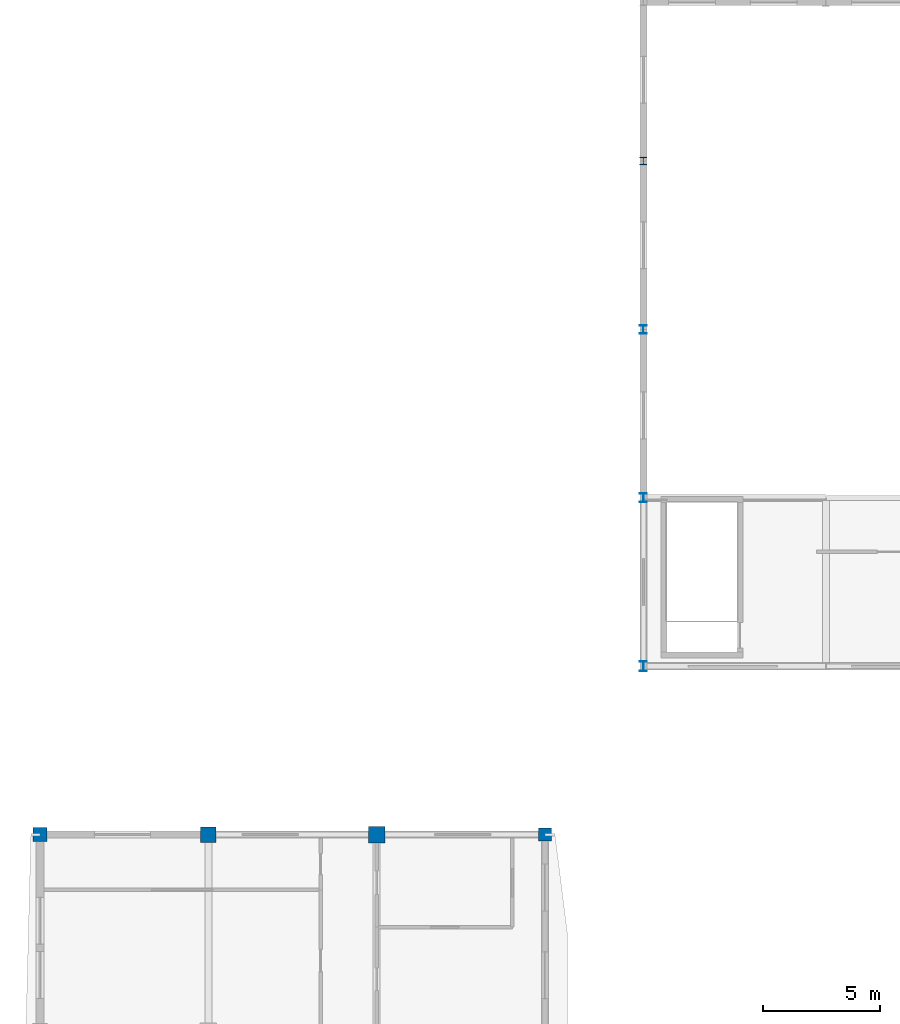
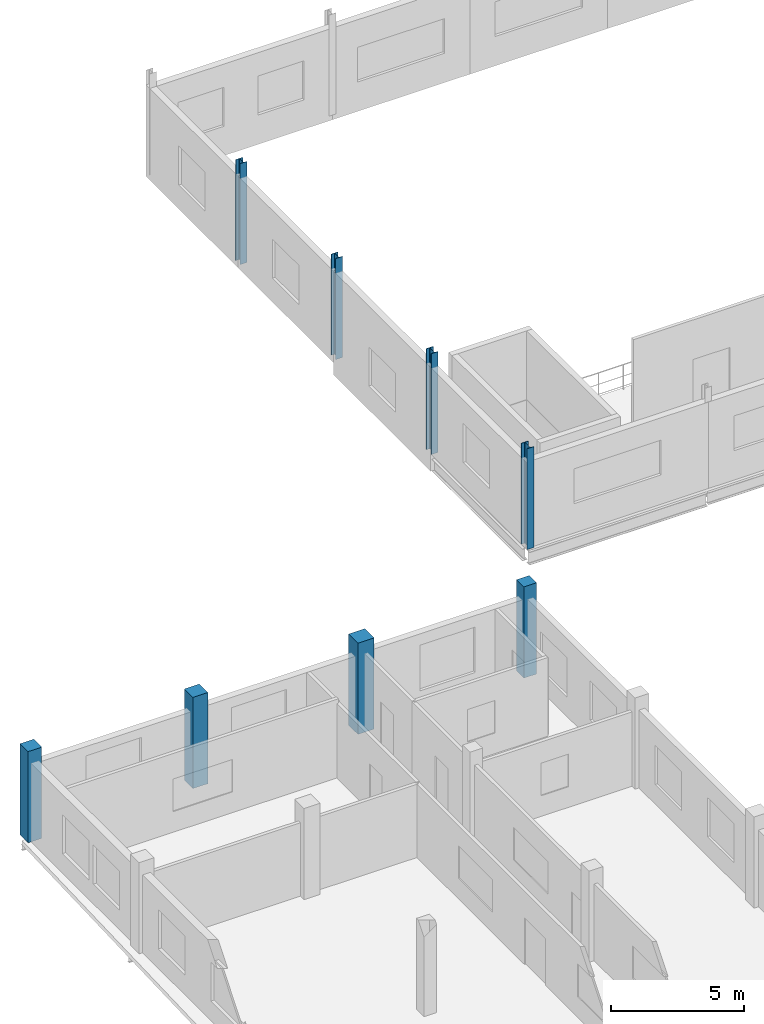
# One storey, part 21 of 121: 8 columns.
"""IFC4 building model written with IfcOpenShell, lengths in metres."""

from ifc_helpers import new_model, si_unit, direction, frame, origin, origin_2d, place, context, subcontext, project, spatial, rectangle, i_section, extrude, material, material_profile, profile_set, type_object, element, save


model = new_model("IFC4")

# Units and contexts
model_context = context("Model", 3, precision=1e-05, world=origin(), true_north=direction((0.0, 1.0)))
body_context = subcontext(model_context, "Body", "Model", "MODEL_VIEW")
ifc_project = project(units=[si_unit("LENGTHUNIT", "METRE"), si_unit("AREAUNIT", "SQUARE_METRE"), si_unit("VOLUMEUNIT", "CUBIC_METRE"), si_unit("PLANEANGLEUNIT", "RADIAN"), si_unit("MASSUNIT", "GRAM", prefix="KILO")], contexts=[model_context])

# Site, building, storey
site_placement = place(None, origin())
site = spatial("IfcSite", under=ifc_project, at=site_placement, CompositionType="ELEMENT")
building_placement = place(site_placement, origin())
building = spatial("IfcBuilding", under=site, at=building_placement, Name="Vinh Khe Railworks Police Headquarters", CompositionType="ELEMENT")
storey_placement = place(building_placement, frame((0.0, 0.0, 4.800048828125)))
storey = spatial("IfcBuildingStorey", under=building, at=storey_placement, Name="L01", CompositionType="ELEMENT", Elevation=4.800048828125)

# Columns
ifc_material_1 = material(Name="Concrete C40/50 (B40)", Category="concrete")
ifc_material_profile_1 = material_profile(ifc_material_1, rectangle(XDim=0.550048828125, YDim=0.550048828125, at=origin_2d()), Name="RC 550x550")
ifc_profile_set_1 = profile_set([ifc_material_profile_1], Name="Concrete C40/50 (B40)")
column_type_1 = type_object("IfcColumnType", Name="RC Column RC 550x550", PredefinedType="COLUMN", material=ifc_profile_set_1)
column_1_placement = place(storey_placement, frame((22.199951171875, 130.800048828125, 0.0), z_axis=(0.0, 0.0, 1.0), x_axis=(1.0, 0.0, 0.0)))
element("IfcColumn", 1, at=column_1_placement, inside=storey, type_object=column_type_1, Name="Column COL-L01-CC-06-0650", PredefinedType="COLUMN", context=body_context, shape_type="SweptSolid", body=[
    extrude(rectangle(XDim=0.550048828125, YDim=0.550048828125, at=origin_2d()), origin(), (0.0, 0.0, 1.0), 4.199951171875),
])
ifc_material_profile_2 = material_profile(ifc_material_1, rectangle(XDim=0.60009765625, YDim=0.60009765625, at=origin_2d()), Name="RC 600x600")
ifc_profile_set_2 = profile_set([ifc_material_profile_2], Name="Concrete C40/50 (B40)")
column_type_2 = type_object("IfcColumnType", Name="RC Column RC 600x600", PredefinedType="COLUMN", material=ifc_profile_set_2)
column_2_placement = place(storey_placement, frame((0.60009765625, 130.800048828125, 0.0), z_axis=(0.0, 0.0, 1.0), x_axis=(1.0, 0.0, 0.0)))
element("IfcColumn", 2, at=column_2_placement, inside=storey, type_object=column_type_2, Name="Column COL-L01-CC-05-0163", PredefinedType="COLUMN", context=body_context, shape_type="SweptSolid", body=[
    extrude(rectangle(XDim=0.60009765625, YDim=0.60009765625, at=origin_2d()), origin(), (0.0, 0.0, 1.0), 4.199951171875),
])
ifc_material_profile_3 = material_profile(ifc_material_1, rectangle(XDim=0.64990234375, YDim=0.64990234375, at=origin_2d()), Name="RC 650x650")
ifc_profile_set_3 = profile_set([ifc_material_profile_3], Name="Concrete C40/50 (B40)")
column_type_3 = type_object("IfcColumnType", Name="RC Column RC 650x650", PredefinedType="COLUMN", material=ifc_profile_set_3)
column_3_placement = place(storey_placement, frame((7.800048828125, 130.800048828125, 0.0), z_axis=(0.0, 0.0, 1.0), x_axis=(1.0, 0.0, 0.0)))
element("IfcColumn", 3, at=column_3_placement, inside=storey, type_object=column_type_3, Name="Column COL-L01-CC-04-0330", PredefinedType="COLUMN", context=body_context, shape_type="SweptSolid", body=[
    extrude(rectangle(XDim=0.64990234375, YDim=0.64990234375, at=origin_2d()), origin(), (0.0, 0.0, 1.0), 4.199951171875),
])
ifc_material_profile_4 = material_profile(ifc_material_1, rectangle(XDim=0.699951171875, YDim=0.699951171875, at=origin_2d()), Name="RC 700x700")
ifc_profile_set_4 = profile_set([ifc_material_profile_4], Name="Concrete C40/50 (B40)")
column_type_4 = type_object("IfcColumnType", Name="RC Column RC 700x700", PredefinedType="COLUMN", material=ifc_profile_set_4)
column_4_placement = place(storey_placement, frame((15.0, 130.800048828125, 0.0), z_axis=(0.0, 0.0, 1.0), x_axis=(1.0, 0.0, 0.0)))
element("IfcColumn", 4, at=column_4_placement, inside=storey, type_object=column_type_4, Name="Column COL-L01-CC-03-0497", PredefinedType="COLUMN", context=body_context, shape_type="SweptSolid", body=[
    extrude(rectangle(XDim=0.699951171875, YDim=0.699951171875, at=origin_2d()), origin(), (0.0, 0.0, 1.0), 4.199951171875),
])
ifc_material_2 = material(Name="Steel S355JR", Category="steel")
ifc_material_profile_5 = material_profile(ifc_material_2, i_section(OverallWidth=0.300048828125, OverallDepth=0.330078125, WebThickness=0.009521484375, FlangeThickness=0.0166015625, FilletRadius=0.027099609375, at=origin_2d()), Name="HEA 340")
ifc_profile_set_5 = profile_set([ifc_material_profile_5], Name="Steel S355JR")
column_type_5 = type_object("IfcColumnType", Name="Steel Column HEA 340", PredefinedType="COLUMN", material=ifc_profile_set_5)
column_5_placement = place(storey_placement, frame((26.39990234375, 159.60009765625, 0.0), z_axis=(0.0, 0.0, 1.0), x_axis=(1.0, 0.0, 0.0)))
element("IfcColumn", 5, at=column_5_placement, inside=storey, type_object=column_type_5, Name="Column COL-L01-SC-17-0777", PredefinedType="COLUMN", context=body_context, shape_type="SweptSolid", body=[
    extrude(i_section(OverallWidth=0.300048828125, OverallDepth=0.330078125, WebThickness=0.009521484375, FlangeThickness=0.0166015625, FilletRadius=0.027099609375, at=origin_2d()), origin(), (0.0, 0.0, 1.0), 4.64990234375),
])
ifc_material_profile_6 = material_profile(ifc_material_2, i_section(OverallWidth=0.300048828125, OverallDepth=0.35009765625, WebThickness=0.010009765625, FlangeThickness=0.017578125, FilletRadius=0.027099609375, at=origin_2d()), Name="HEA 360")
ifc_profile_set_6 = profile_set([ifc_material_profile_6], Name="Steel S355JR")
column_type_6 = type_object("IfcColumnType", Name="Steel Column HEA 360", PredefinedType="COLUMN", material=ifc_profile_set_6)
column_6_placement = place(storey_placement, frame((26.39990234375, 152.39990234375, 0.0), z_axis=(0.0, 0.0, 1.0), x_axis=(1.0, 0.0, 0.0)))
element("IfcColumn", 6, at=column_6_placement, inside=storey, type_object=column_type_6, Name="Column COL-L01-SC-16-0775", PredefinedType="COLUMN", context=body_context, shape_type="SweptSolid", body=[
    extrude(i_section(OverallWidth=0.300048828125, OverallDepth=0.35009765625, WebThickness=0.010009765625, FlangeThickness=0.017578125, FilletRadius=0.027099609375, at=origin_2d()), origin(), (0.0, 0.0, 1.0), 4.64990234375),
])
ifc_material_profile_7 = material_profile(ifc_material_2, i_section(OverallWidth=0.300048828125, OverallDepth=0.389892578125, WebThickness=0.010986328125, FlangeThickness=0.01904296875, FilletRadius=0.027099609375, at=origin_2d()), Name="HEA 400")
ifc_profile_set_7 = profile_set([ifc_material_profile_7], Name="Steel S355JR")
column_type_7 = type_object("IfcColumnType", Name="Steel Column HEA 400", PredefinedType="COLUMN", material=ifc_profile_set_7)
column_7_placement = place(storey_placement, frame((26.39990234375, 145.199951171875, 0.0), z_axis=(0.0, 0.0, 1.0), x_axis=(1.0, 0.0, 0.0)))
element("IfcColumn", 7, at=column_7_placement, inside=storey, type_object=column_type_7, Name="Column COL-L01-SC-15-0773", PredefinedType="COLUMN", context=body_context, shape_type="SweptSolid", body=[
    extrude(i_section(OverallWidth=0.300048828125, OverallDepth=0.389892578125, WebThickness=0.010986328125, FlangeThickness=0.01904296875, FilletRadius=0.027099609375, at=origin_2d()), origin(), (0.0, 0.0, 1.0), 4.64990234375),
])
ifc_material_profile_8 = material_profile(ifc_material_2, i_section(OverallWidth=0.300048828125, OverallDepth=0.43994140625, WebThickness=0.011474609375, FlangeThickness=0.02099609375, FilletRadius=0.027099609375, at=origin_2d()), Name="HEA 450")
ifc_profile_set_8 = profile_set([ifc_material_profile_8], Name="Steel S355JR")
column_type_8 = type_object("IfcColumnType", Name="Steel Column HEA 450", PredefinedType="COLUMN", material=ifc_profile_set_8)
column_8_placement = place(storey_placement, frame((26.39990234375, 138.0, 0.0), z_axis=(0.0, 0.0, 1.0), x_axis=(1.0, 0.0, 0.0)))
element("IfcColumn", 8, at=column_8_placement, inside=storey, type_object=column_type_8, Name="Column COL-L01-SC-14-0771", PredefinedType="COLUMN", context=body_context, shape_type="SweptSolid", body=[
    extrude(i_section(OverallWidth=0.300048828125, OverallDepth=0.43994140625, WebThickness=0.011474609375, FlangeThickness=0.02099609375, FilletRadius=0.027099609375, at=origin_2d()), origin(), (0.0, 0.0, 1.0), 4.64990234375),
])

save(model, "model.ifc")
